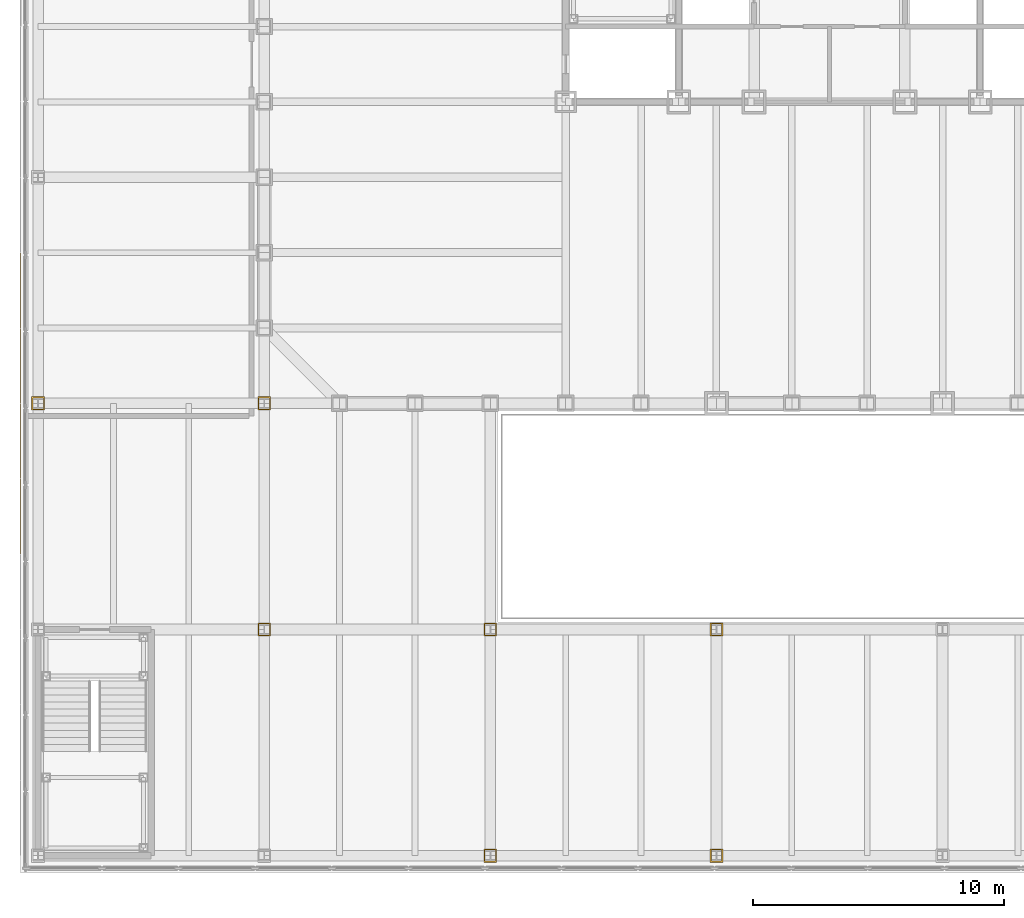
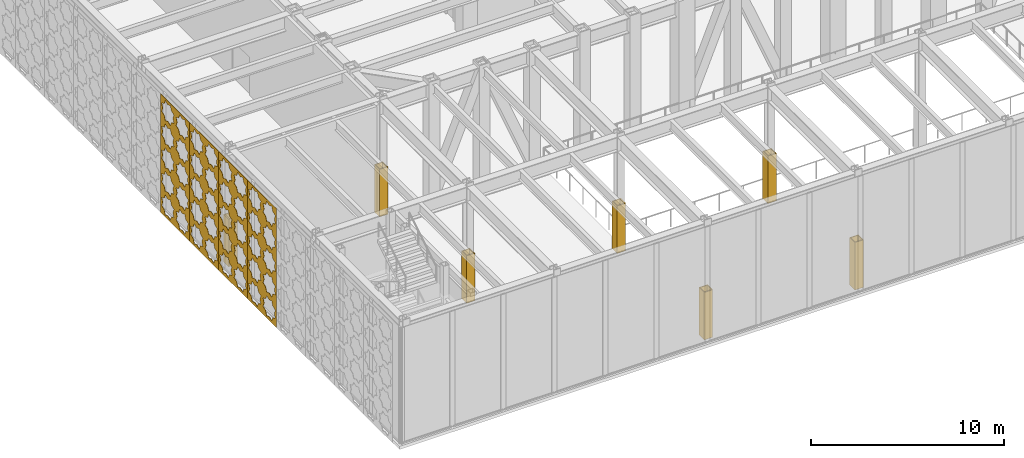
# One storey, part 25 of 34: 7 coverings, 4 shading devices.
"""IFC4 building model written with IfcOpenShell, lengths in metres."""

import ifcopenshell
import ifcopenshell.guid

model = None  # the IFC model being written
_history = None  # IfcOwnerHistory: only IFC2X3 demands one
_inside = {}  # id of a spatial element -> (the spatial element, [elements in it])
_under = {}  # id of a project, library or spatial element -> (it, [spatial elements below it])
_declared = {}  # id of a project -> (the project, [libraries it declares])
_typed = {}  # id of a type object -> (the type object, [elements of that type])
_made_of = {}  # id of a material, layer set ... -> (it, [elements and type objects made of it])


def new_model(schema):
    """Start an empty IFC model of exactly this schema.

    Asked for "IFC4X3", IfcOpenShell would pick the latest addendum, in which some entities
    have other attributes; the version numbers below select the first issue.
    IFC2X3 requires an IfcOwnerHistory on every rooted entity: one is made here for all.
    """
    global model, _history
    if schema == "IFC4X3":
        model = ifcopenshell.file(schema_version=(4, 3, 0, 0))
    else:
        model = ifcopenshell.file(schema=schema)
    _inside.clear()
    _under.clear()
    _declared.clear()
    _typed.clear()
    _made_of.clear()
    _history = None
    if model.schema == "IFC2X3":
        org = make("IfcOrganization", Name="unknown")
        user = make(
            "IfcPersonAndOrganization",
            ThePerson=make("IfcPerson", FamilyName="unknown"),
            TheOrganization=org,
        )
        app = make(
            "IfcApplication",
            ApplicationDeveloper=org,
            Version="unknown",
            ApplicationFullName="unknown",
            ApplicationIdentifier="unknown",
        )
        _history = make(
            "IfcOwnerHistory",
            OwningUser=user,
            OwningApplication=app,
            ChangeAction="ADDED",
            CreationDate=0,
        )
    return model


def make(cls, **values):
    """One entity of the class cls with the attributes given. An attribute that is None is left unset."""
    return model.create_entity(
        cls, **{name: value for name, value in values.items() if value is not None}
    )


def rooted(cls, **values):
    """An entity with a GlobalId (a new one), such as an element, a storey or a relation."""
    return make(cls, GlobalId=ifcopenshell.guid.new(), OwnerHistory=_history, **values)


def si_unit(unit_type, name, prefix=None):
    """IfcSIUnit, for example si_unit("LENGTHUNIT", "METRE", prefix="MILLI")."""
    return make("IfcSIUnit", UnitType=unit_type, Prefix=prefix, Name=name)


def assignment(units):
    """IfcUnitAssignment: the units of a project."""
    return None if units is None else make("IfcUnitAssignment", Units=units)


def point(xyz):
    """IfcCartesianPoint."""
    return None if xyz is None else make("IfcCartesianPoint", Coordinates=xyz)


def direction(xyz):
    """IfcDirection."""
    return None if xyz is None else make("IfcDirection", DirectionRatios=xyz)


def frame(location, z_axis=None, x_axis=None):
    """IfcAxis2Placement3D, a coordinate frame: its origin and axes. An axis left out is left unset."""
    return make(
        "IfcAxis2Placement3D",
        Location=point(location),
        Axis=direction(z_axis),
        RefDirection=direction(x_axis),
    )


def origin():
    """The frame at (0, 0, 0) with its axes left unset."""
    return frame((0.0, 0.0, 0.0))


def place(relative_to, where):
    """IfcLocalPlacement: puts the frame where relative to a parent placement (None: the world)."""
    return make(
        "IfcLocalPlacement", PlacementRelTo=relative_to, RelativePlacement=where
    )


def context(
    kind, dimensions, precision=None, world=None, true_north=None, identifier=None
):
    """IfcGeometricRepresentationContext, for example the 3D "Model" context."""
    return make(
        "IfcGeometricRepresentationContext",
        ContextIdentifier=identifier,
        ContextType=kind,
        CoordinateSpaceDimension=dimensions,
        Precision=precision,
        WorldCoordinateSystem=world,
        TrueNorth=true_north,
    )


def subcontext(parent, identifier, kind, view, scale=None):
    """IfcGeometricRepresentationSubContext, for example "Body" below "Model"."""
    return make(
        "IfcGeometricRepresentationSubContext",
        ContextIdentifier=identifier,
        ContextType=kind,
        ParentContext=parent,
        TargetScale=scale,
        TargetView=view,
    )


def project(units=None, contexts=None):
    """IfcProject with its units and contexts."""
    return rooted(
        "IfcProject",
        Name="project",
        RepresentationContexts=contexts,
        UnitsInContext=assignment(units),
    )


def spatial(cls, under=None, at=None, **own):
    """A site, building, storey or space (cls), placed at a placement, below another one or the project."""
    s = rooted(cls, ObjectPlacement=at, **own)
    if under is not None:
        _under.setdefault(under.id(), (under, []))[1].append(s)
    return s


def polyline(points):
    """IfcPolyline through the points."""
    return make("IfcPolyline", Points=[point(p) for p in points])


def outline(outer, holes=None, kind="AREA"):
    """IfcArbitraryClosedProfileDef: a profile drawn as a closed curve; with holes, ...WithVoids."""
    if holes is None:
        return make("IfcArbitraryClosedProfileDef", ProfileType=kind, OuterCurve=outer)
    return make(
        "IfcArbitraryProfileDefWithVoids",
        ProfileType=kind,
        OuterCurve=outer,
        InnerCurves=holes,
    )


def extrude(swept, where, along, depth):
    """IfcExtrudedAreaSolid: the profile swept, set in the frame where, extruded along a direction by depth."""
    return make(
        "IfcExtrudedAreaSolid",
        SweptArea=swept,
        Position=where,
        ExtrudedDirection=direction(along),
        Depth=depth,
    )


def shape(context_of_items, identifier, shape_type, items):
    """IfcShapeRepresentation: the items that make up one representation, for example the "Body"."""
    return make(
        "IfcShapeRepresentation",
        ContextOfItems=context_of_items,
        RepresentationIdentifier=identifier,
        RepresentationType=shape_type,
        Items=items,
    )


def material(Name=None, Category=None):
    """IfcMaterial."""
    return make("IfcMaterial", Name=Name, Category=Category)


def layer(
    of_material, thickness, ventilated=None, Name=None, Category=None, Priority=None
):
    """IfcMaterialLayer: one layer of a wall or slab, of a material (None: an air gap)."""
    return make(
        "IfcMaterialLayer",
        Material=of_material,
        LayerThickness=thickness,
        IsVentilated=ventilated,
        Name=Name,
        Category=Category,
        Priority=Priority,
    )


def layer_set(layers, Name=None):
    """IfcMaterialLayerSet."""
    return make("IfcMaterialLayerSet", MaterialLayers=layers, LayerSetName=Name)


def made_of(thing, what):
    """Note that an element or type object is made of a material, layer set ...; save() writes the relation."""
    if what is not None:
        _made_of.setdefault(what.id(), (what, []))[1].append(thing)
    return thing


def type_object(cls, material=None, **own):
    """A type object (cls), such as IfcWallType, which elements share."""
    return made_of(rooted(cls, **own), material)


def element(
    cls,
    number,
    at=None,
    inside=None,
    cuts=None,
    type_object=None,
    material=None,
    context=None,
    identifier="Body",
    shape_type=None,
    held_by="IfcProductDefinitionShape",
    body=None,
    shapes=None,
    **own,
):
    """One element of the class cls, such as IfcWall. Its Tag is "e" and its number.

    at: its placement. inside: the storey or other place that contains it. cuts: it is an
    opening in that element (IfcRelVoidsElement). A single representation is given by context,
    identifier, shape_type and body (its items); several are given by shapes. held_by: the class
    of the entity that holds the representations. save() writes the other relations.
    """
    e = rooted(cls, Tag="e%d" % number, ObjectPlacement=at, **own)
    if body is not None:
        shapes = [shape(context, identifier, shape_type, body)]
    if shapes is not None:
        e.Representation = make(held_by, Representations=shapes)
    if inside is not None:
        _inside.setdefault(inside.id(), (inside, []))[1].append(e)
    if cuts is not None:
        rooted(
            "IfcRelVoidsElement", RelatingBuildingElement=cuts, RelatedOpeningElement=e
        )
    if type_object is not None:
        _typed.setdefault(type_object.id(), (type_object, []))[1].append(e)
    return made_of(e, material)


def aggregate(whole, parts):
    """IfcRelAggregates: a whole, such as a stair, and the parts it consists of."""
    return rooted("IfcRelAggregates", RelatingObject=whole, RelatedObjects=parts)


def save(model, path):
    """Write the relations noted so far, then the file.

    IfcRelAggregates (storeys below a building ...), IfcRelContainedInSpatialStructure (elements
    in a storey), IfcRelDefinesByType, IfcRelAssociatesMaterial and IfcRelDeclares: one each for
    every whole, place, type object, material and project.
    """
    for whole, parts in _under.values():
        aggregate(whole, parts)
    for where, things in _inside.values():
        rooted(
            "IfcRelContainedInSpatialStructure",
            RelatedElements=things,
            RelatingStructure=where,
        )
    for kind, things in _typed.values():
        rooted("IfcRelDefinesByType", RelatedObjects=things, RelatingType=kind)
    for what, things in _made_of.values():
        rooted("IfcRelAssociatesMaterial", RelatedObjects=things, RelatingMaterial=what)
    for by, libraries in _declared.values():
        rooted("IfcRelDeclares", RelatingContext=by, RelatedDefinitions=libraries)
    model.write(path)


model = new_model("IFC4")

# Units and contexts
model_context = context("Model", 3, precision=1e-05, world=origin(), true_north=direction((0.0, 1.0)))
body_context = subcontext(model_context, "Body", "Model", "MODEL_VIEW")
ifc_project = project(units=[si_unit("LENGTHUNIT", "METRE"), si_unit("AREAUNIT", "SQUARE_METRE"), si_unit("VOLUMEUNIT", "CUBIC_METRE"), si_unit("PLANEANGLEUNIT", "RADIAN"), si_unit("MASSUNIT", "GRAM", prefix="KILO")], contexts=[model_context])

# Site, building, storey
site_placement = place(None, origin())
site = spatial("IfcSite", under=ifc_project, at=site_placement, CompositionType="ELEMENT")
building_placement = place(site_placement, origin())
building = spatial("IfcBuilding", under=site, at=building_placement, Name="Chuquiago Exchange Tower", CompositionType="ELEMENT")
storey_placement = place(building_placement, frame((0.0, 0.0, 6.0)))
storey = spatial("IfcBuildingStorey", under=building, at=storey_placement, Name="L01", CompositionType="ELEMENT", Elevation=6.0)

# Coverings
ifc_material_1 = material(Name="Pale metal sheet casing on rails", Category="aluminium")
ifc_layer_1 = layer(ifc_material_1, 0.050048828125)
ifc_layer_set_1 = layer_set([ifc_layer_1], Name="CS1 column casing 50")
covering_type = type_object("IfcCoveringType", Name="CS1 column casing 50", PredefinedType="CLADDING", material=ifc_layer_set_1)
covering_1_placement = place(storey_placement, origin())
element("IfcCovering", 1, at=covering_1_placement, inside=storey, type_object=covering_type, Name="Column casing L01", PredefinedType="CLADDING", context=body_context, shape_type="SweptSolid", body=[
    extrude(outline(polyline([(-9.255615234375, -0.26708984375), (-8.744384765625, -0.26708984375), (-8.744384765625, 0.26708984375), (-9.255615234375, 0.26708984375), (-9.255615234375, -0.26708984375)]), holes=[polyline([(-9.205810546875, -0.21728515625), (-9.205810546875, 0.21728515625), (-8.794189453125, 0.21728515625), (-8.794189453125, -0.21728515625), (-9.205810546875, -0.21728515625)])]), origin(), (0.0, 0.0, 1.0), 3.0),
])
covering_2_placement = place(storey_placement, origin())
element("IfcCovering", 2, at=covering_2_placement, inside=storey, type_object=covering_type, Name="Column casing L01", PredefinedType="CLADDING", context=body_context, shape_type="SweptSolid", body=[
    extrude(outline(polyline([(-0.255615234375, -9.26708984375), (0.255615234375, -9.26708984375), (0.255615234375, -8.73291015625), (-0.255615234375, -8.73291015625), (-0.255615234375, -9.26708984375)]), holes=[polyline([(-0.205810546875, -9.21728515625), (-0.205810546875, -8.78271484375), (0.205810546875, -8.78271484375), (0.205810546875, -9.21728515625), (-0.205810546875, -9.21728515625)])]), origin(), (0.0, 0.0, 1.0), 3.0),
])
covering_3_placement = place(storey_placement, origin())
element("IfcCovering", 3, at=covering_3_placement, inside=storey, type_object=covering_type, Name="Column casing L01", PredefinedType="CLADDING", context=body_context, shape_type="SweptSolid", body=[
    extrude(outline(polyline([(-0.255615234375, -0.26708984375), (0.255615234375, -0.26708984375), (0.255615234375, 0.26708984375), (-0.255615234375, 0.26708984375), (-0.255615234375, -0.26708984375)]), holes=[polyline([(-0.205810546875, -0.21728515625), (-0.205810546875, 0.21728515625), (0.205810546875, 0.21728515625), (0.205810546875, -0.21728515625), (-0.205810546875, -0.21728515625)])]), origin(), (0.0, 0.0, 1.0), 3.0),
])
covering_4_placement = place(storey_placement, origin())
element("IfcCovering", 4, at=covering_4_placement, inside=storey, type_object=covering_type, Name="Column casing L01", PredefinedType="CLADDING", context=body_context, shape_type="SweptSolid", body=[
    extrude(outline(polyline([(8.744384765625, -18.26708984375), (9.255615234375, -18.26708984375), (9.255615234375, -17.73291015625), (8.744384765625, -17.73291015625), (8.744384765625, -18.26708984375)]), holes=[polyline([(8.794189453125, -18.21728515625), (8.794189453125, -17.78271484375), (9.205810546875, -17.78271484375), (9.205810546875, -18.21728515625), (8.794189453125, -18.21728515625)])]), origin(), (0.0, 0.0, 1.0), 3.0),
])
covering_5_placement = place(storey_placement, origin())
element("IfcCovering", 5, at=covering_5_placement, inside=storey, type_object=covering_type, Name="Column casing L01", PredefinedType="CLADDING", context=body_context, shape_type="SweptSolid", body=[
    extrude(outline(polyline([(8.744384765625, -9.26708984375), (9.255615234375, -9.26708984375), (9.255615234375, -8.73291015625), (8.744384765625, -8.73291015625), (8.744384765625, -9.26708984375)]), holes=[polyline([(8.794189453125, -9.21728515625), (8.794189453125, -8.78271484375), (9.205810546875, -8.78271484375), (9.205810546875, -9.21728515625), (8.794189453125, -9.21728515625)])]), origin(), (0.0, 0.0, 1.0), 3.0),
])
covering_6_placement = place(storey_placement, origin())
element("IfcCovering", 6, at=covering_6_placement, inside=storey, type_object=covering_type, Name="Column casing L01", PredefinedType="CLADDING", context=body_context, shape_type="SweptSolid", body=[
    extrude(outline(polyline([(17.744384765625, -18.26708984375), (18.255615234375, -18.26708984375), (18.255615234375, -17.73291015625), (17.744384765625, -17.73291015625), (17.744384765625, -18.26708984375)]), holes=[polyline([(17.794189453125, -18.21728515625), (17.794189453125, -17.78271484375), (18.205810546875, -17.78271484375), (18.205810546875, -18.21728515625), (17.794189453125, -18.21728515625)])]), origin(), (0.0, 0.0, 1.0), 3.0),
])
covering_7_placement = place(storey_placement, origin())
element("IfcCovering", 7, at=covering_7_placement, inside=storey, type_object=covering_type, Name="Column casing L01", PredefinedType="CLADDING", context=body_context, shape_type="SweptSolid", body=[
    extrude(outline(polyline([(17.744384765625, -9.26708984375), (18.255615234375, -9.26708984375), (18.255615234375, -8.73291015625), (17.744384765625, -8.73291015625), (17.744384765625, -9.26708984375)]), holes=[polyline([(17.794189453125, -9.21728515625), (17.794189453125, -8.78271484375), (18.205810546875, -8.78271484375), (18.205810546875, -9.21728515625), (17.794189453125, -9.21728515625)])]), origin(), (0.0, 0.0, 1.0), 3.0),
])

# Shading devices
ifc_material_2 = material(Name="Pale metal, perforated in an eight-point star pattern", Category="aluminium")
ifc_layer_2 = layer(ifc_material_2, 0.02001953125)
ifc_layer_set_2 = layer_set([ifc_layer_2], Name="SC1 mashrabiya screen 20")
shading_device_type = type_object("IfcShadingDeviceType", Name="SC1 mashrabiya screen 20", PredefinedType="SHUTTER", material=ifc_layer_set_2)
shading_device_1_placement = place(storey_placement, frame((-9.699951171875, -3.010009765625, -0.199951171875), z_axis=(0.0, 0.0, 1.0), x_axis=(0.0, -1.0, 0.0)))
element("IfcShadingDevice", 8, at=shading_device_1_placement, inside=storey, type_object=shading_device_type, Name="Mashrabiya screen L01 W 5", PredefinedType="SHUTTER", context=body_context, shape_type="SweptSolid", body=[
    extrude(outline(polyline([(0.0, 0.0), (2.97998046875, 0.0), (2.97998046875, 7.5), (0.0, 7.5), (0.0, 0.0)]), holes=[polyline([(1.26953125, 0.77001953125), (1.378173828125, 1.0322265625), (1.115966796875, 1.140869140625), (1.00732421875, 1.403076171875), (0.7451171875, 1.29443359375), (0.482666015625, 1.403076171875), (0.3740234375, 1.140869140625), (0.11181640625, 1.0322265625), (0.220458984375, 0.77001953125), (0.11181640625, 0.507568359375), (0.3740234375, 0.39892578125), (0.482666015625, 0.13671875), (0.7451171875, 0.245361328125), (1.00732421875, 0.13671875), (1.115966796875, 0.39892578125), (1.378173828125, 0.507568359375), (1.26953125, 0.77001953125)]), polyline([(2.759521484375, 0.77001953125), (2.8681640625, 1.0322265625), (2.60595703125, 1.140869140625), (2.497314453125, 1.403076171875), (2.235107421875, 1.29443359375), (1.97265625, 1.403076171875), (1.864013671875, 1.140869140625), (1.601806640625, 1.0322265625), (1.71044921875, 0.77001953125), (1.601806640625, 0.507568359375), (1.864013671875, 0.39892578125), (1.97265625, 0.13671875), (2.235107421875, 0.245361328125), (2.497314453125, 0.13671875), (2.60595703125, 0.39892578125), (2.8681640625, 0.507568359375), (2.759521484375, 0.77001953125)]), polyline([(1.26953125, 2.260009765625), (1.378173828125, 2.522216796875), (1.115966796875, 2.630859375), (1.00732421875, 2.89306640625), (0.7451171875, 2.78466796875), (0.482666015625, 2.89306640625), (0.3740234375, 2.630859375), (0.11181640625, 2.522216796875), (0.220458984375, 2.260009765625), (0.11181640625, 1.99755859375), (0.3740234375, 1.888916015625), (0.482666015625, 1.626708984375), (0.7451171875, 1.7353515625), (1.00732421875, 1.626708984375), (1.115966796875, 1.888916015625), (1.378173828125, 1.99755859375), (1.26953125, 2.260009765625)]), polyline([(2.759521484375, 2.260009765625), (2.8681640625, 2.522216796875), (2.60595703125, 2.630859375), (2.497314453125, 2.89306640625), (2.235107421875, 2.78466796875), (1.97265625, 2.89306640625), (1.864013671875, 2.630859375), (1.601806640625, 2.522216796875), (1.71044921875, 2.260009765625), (1.601806640625, 1.99755859375), (1.864013671875, 1.888916015625), (1.97265625, 1.626708984375), (2.235107421875, 1.7353515625), (2.497314453125, 1.626708984375), (2.60595703125, 1.888916015625), (2.8681640625, 1.99755859375), (2.759521484375, 2.260009765625)]), polyline([(1.26953125, 3.75), (1.378173828125, 4.01220703125), (1.115966796875, 4.120849609375), (1.00732421875, 4.383056640625), (0.7451171875, 4.274658203125), (0.482666015625, 4.383056640625), (0.3740234375, 4.120849609375), (0.11181640625, 4.01220703125), (0.220458984375, 3.75), (0.11181640625, 3.487548828125), (0.3740234375, 3.37890625), (0.482666015625, 3.11669921875), (0.7451171875, 3.225341796875), (1.00732421875, 3.11669921875), (1.115966796875, 3.37890625), (1.378173828125, 3.487548828125), (1.26953125, 3.75)]), polyline([(2.759521484375, 3.75), (2.8681640625, 4.01220703125), (2.60595703125, 4.120849609375), (2.497314453125, 4.383056640625), (2.235107421875, 4.274658203125), (1.97265625, 4.383056640625), (1.864013671875, 4.120849609375), (1.601806640625, 4.01220703125), (1.71044921875, 3.75), (1.601806640625, 3.487548828125), (1.864013671875, 3.37890625), (1.97265625, 3.11669921875), (2.235107421875, 3.225341796875), (2.497314453125, 3.11669921875), (2.60595703125, 3.37890625), (2.8681640625, 3.487548828125), (2.759521484375, 3.75)]), polyline([(1.26953125, 5.239990234375), (1.378173828125, 5.502197265625), (1.115966796875, 5.61083984375), (1.00732421875, 5.873046875), (0.7451171875, 5.7646484375), (0.482666015625, 5.873046875), (0.3740234375, 5.61083984375), (0.11181640625, 5.502197265625), (0.220458984375, 5.239990234375), (0.11181640625, 4.9775390625), (0.3740234375, 4.868896484375), (0.482666015625, 4.606689453125), (0.7451171875, 4.71533203125), (1.00732421875, 4.606689453125), (1.115966796875, 4.868896484375), (1.378173828125, 4.9775390625), (1.26953125, 5.239990234375)]), polyline([(2.759521484375, 5.239990234375), (2.8681640625, 5.502197265625), (2.60595703125, 5.61083984375), (2.497314453125, 5.873046875), (2.235107421875, 5.7646484375), (1.97265625, 5.873046875), (1.864013671875, 5.61083984375), (1.601806640625, 5.502197265625), (1.71044921875, 5.239990234375), (1.601806640625, 4.9775390625), (1.864013671875, 4.868896484375), (1.97265625, 4.606689453125), (2.235107421875, 4.71533203125), (2.497314453125, 4.606689453125), (2.60595703125, 4.868896484375), (2.8681640625, 4.9775390625), (2.759521484375, 5.239990234375)]), polyline([(1.26953125, 6.72998046875), (1.378173828125, 6.9921875), (1.115966796875, 7.100830078125), (1.00732421875, 7.363037109375), (0.7451171875, 7.254638671875), (0.482666015625, 7.363037109375), (0.3740234375, 7.100830078125), (0.11181640625, 6.9921875), (0.220458984375, 6.72998046875), (0.11181640625, 6.467529296875), (0.3740234375, 6.35888671875), (0.482666015625, 6.0966796875), (0.7451171875, 6.205322265625), (1.00732421875, 6.0966796875), (1.115966796875, 6.35888671875), (1.378173828125, 6.467529296875), (1.26953125, 6.72998046875)]), polyline([(2.759521484375, 6.72998046875), (2.8681640625, 6.9921875), (2.60595703125, 7.100830078125), (2.497314453125, 7.363037109375), (2.235107421875, 7.254638671875), (1.97265625, 7.363037109375), (1.864013671875, 7.100830078125), (1.601806640625, 6.9921875), (1.71044921875, 6.72998046875), (1.601806640625, 6.467529296875), (1.864013671875, 6.35888671875), (1.97265625, 6.0966796875), (2.235107421875, 6.205322265625), (2.497314453125, 6.0966796875), (2.60595703125, 6.35888671875), (2.8681640625, 6.467529296875), (2.759521484375, 6.72998046875)])]), frame((0.0, 0.0, 0.0), z_axis=(0.0, -1.0, 0.0), x_axis=(1.0, 0.0, 0.0)), (0.0, 0.0, 1.0), 0.02001953125),
])
shading_device_2_placement = place(storey_placement, frame((-9.699951171875, -0.010009765625, -0.199951171875), z_axis=(0.0, 0.0, 1.0), x_axis=(0.0, -1.0, 0.0)))
element("IfcShadingDevice", 9, at=shading_device_2_placement, inside=storey, type_object=shading_device_type, Name="Mashrabiya screen L01 W 6", PredefinedType="SHUTTER", context=body_context, shape_type="SweptSolid", body=[
    extrude(outline(polyline([(0.0, 0.0), (2.97998046875, 0.0), (2.97998046875, 7.5), (0.0, 7.5), (0.0, 0.0)]), holes=[polyline([(1.26953125, 0.77001953125), (1.378173828125, 1.0322265625), (1.115966796875, 1.140869140625), (1.00732421875, 1.403076171875), (0.7451171875, 1.29443359375), (0.482666015625, 1.403076171875), (0.3740234375, 1.140869140625), (0.11181640625, 1.0322265625), (0.220458984375, 0.77001953125), (0.11181640625, 0.507568359375), (0.3740234375, 0.39892578125), (0.482666015625, 0.13671875), (0.7451171875, 0.245361328125), (1.00732421875, 0.13671875), (1.115966796875, 0.39892578125), (1.378173828125, 0.507568359375), (1.26953125, 0.77001953125)]), polyline([(2.759521484375, 0.77001953125), (2.8681640625, 1.0322265625), (2.60595703125, 1.140869140625), (2.497314453125, 1.403076171875), (2.235107421875, 1.29443359375), (1.97265625, 1.403076171875), (1.864013671875, 1.140869140625), (1.601806640625, 1.0322265625), (1.71044921875, 0.77001953125), (1.601806640625, 0.507568359375), (1.864013671875, 0.39892578125), (1.97265625, 0.13671875), (2.235107421875, 0.245361328125), (2.497314453125, 0.13671875), (2.60595703125, 0.39892578125), (2.8681640625, 0.507568359375), (2.759521484375, 0.77001953125)]), polyline([(1.26953125, 2.260009765625), (1.378173828125, 2.522216796875), (1.115966796875, 2.630859375), (1.00732421875, 2.89306640625), (0.7451171875, 2.78466796875), (0.482666015625, 2.89306640625), (0.3740234375, 2.630859375), (0.11181640625, 2.522216796875), (0.220458984375, 2.260009765625), (0.11181640625, 1.99755859375), (0.3740234375, 1.888916015625), (0.482666015625, 1.626708984375), (0.7451171875, 1.7353515625), (1.00732421875, 1.626708984375), (1.115966796875, 1.888916015625), (1.378173828125, 1.99755859375), (1.26953125, 2.260009765625)]), polyline([(2.759521484375, 2.260009765625), (2.8681640625, 2.522216796875), (2.60595703125, 2.630859375), (2.497314453125, 2.89306640625), (2.235107421875, 2.78466796875), (1.97265625, 2.89306640625), (1.864013671875, 2.630859375), (1.601806640625, 2.522216796875), (1.71044921875, 2.260009765625), (1.601806640625, 1.99755859375), (1.864013671875, 1.888916015625), (1.97265625, 1.626708984375), (2.235107421875, 1.7353515625), (2.497314453125, 1.626708984375), (2.60595703125, 1.888916015625), (2.8681640625, 1.99755859375), (2.759521484375, 2.260009765625)]), polyline([(1.26953125, 3.75), (1.378173828125, 4.01220703125), (1.115966796875, 4.120849609375), (1.00732421875, 4.383056640625), (0.7451171875, 4.274658203125), (0.482666015625, 4.383056640625), (0.3740234375, 4.120849609375), (0.11181640625, 4.01220703125), (0.220458984375, 3.75), (0.11181640625, 3.487548828125), (0.3740234375, 3.37890625), (0.482666015625, 3.11669921875), (0.7451171875, 3.225341796875), (1.00732421875, 3.11669921875), (1.115966796875, 3.37890625), (1.378173828125, 3.487548828125), (1.26953125, 3.75)]), polyline([(2.759521484375, 3.75), (2.8681640625, 4.01220703125), (2.60595703125, 4.120849609375), (2.497314453125, 4.383056640625), (2.235107421875, 4.274658203125), (1.97265625, 4.383056640625), (1.864013671875, 4.120849609375), (1.601806640625, 4.01220703125), (1.71044921875, 3.75), (1.601806640625, 3.487548828125), (1.864013671875, 3.37890625), (1.97265625, 3.11669921875), (2.235107421875, 3.225341796875), (2.497314453125, 3.11669921875), (2.60595703125, 3.37890625), (2.8681640625, 3.487548828125), (2.759521484375, 3.75)]), polyline([(1.26953125, 5.239990234375), (1.378173828125, 5.502197265625), (1.115966796875, 5.61083984375), (1.00732421875, 5.873046875), (0.7451171875, 5.7646484375), (0.482666015625, 5.873046875), (0.3740234375, 5.61083984375), (0.11181640625, 5.502197265625), (0.220458984375, 5.239990234375), (0.11181640625, 4.9775390625), (0.3740234375, 4.868896484375), (0.482666015625, 4.606689453125), (0.7451171875, 4.71533203125), (1.00732421875, 4.606689453125), (1.115966796875, 4.868896484375), (1.378173828125, 4.9775390625), (1.26953125, 5.239990234375)]), polyline([(2.759521484375, 5.239990234375), (2.8681640625, 5.502197265625), (2.60595703125, 5.61083984375), (2.497314453125, 5.873046875), (2.235107421875, 5.7646484375), (1.97265625, 5.873046875), (1.864013671875, 5.61083984375), (1.601806640625, 5.502197265625), (1.71044921875, 5.239990234375), (1.601806640625, 4.9775390625), (1.864013671875, 4.868896484375), (1.97265625, 4.606689453125), (2.235107421875, 4.71533203125), (2.497314453125, 4.606689453125), (2.60595703125, 4.868896484375), (2.8681640625, 4.9775390625), (2.759521484375, 5.239990234375)]), polyline([(1.26953125, 6.72998046875), (1.378173828125, 6.9921875), (1.115966796875, 7.100830078125), (1.00732421875, 7.363037109375), (0.7451171875, 7.254638671875), (0.482666015625, 7.363037109375), (0.3740234375, 7.100830078125), (0.11181640625, 6.9921875), (0.220458984375, 6.72998046875), (0.11181640625, 6.467529296875), (0.3740234375, 6.35888671875), (0.482666015625, 6.0966796875), (0.7451171875, 6.205322265625), (1.00732421875, 6.0966796875), (1.115966796875, 6.35888671875), (1.378173828125, 6.467529296875), (1.26953125, 6.72998046875)]), polyline([(2.759521484375, 6.72998046875), (2.8681640625, 6.9921875), (2.60595703125, 7.100830078125), (2.497314453125, 7.363037109375), (2.235107421875, 7.254638671875), (1.97265625, 7.363037109375), (1.864013671875, 7.100830078125), (1.601806640625, 6.9921875), (1.71044921875, 6.72998046875), (1.601806640625, 6.467529296875), (1.864013671875, 6.35888671875), (1.97265625, 6.0966796875), (2.235107421875, 6.205322265625), (2.497314453125, 6.0966796875), (2.60595703125, 6.35888671875), (2.8681640625, 6.467529296875), (2.759521484375, 6.72998046875)])]), frame((0.0, 0.0, 0.0), z_axis=(0.0, -1.0, 0.0), x_axis=(1.0, 0.0, 0.0)), (0.0, 0.0, 1.0), 0.02001953125),
])
shading_device_3_placement = place(storey_placement, frame((-9.699951171875, 2.989990234375, -0.199951171875), z_axis=(0.0, 0.0, 1.0), x_axis=(0.0, -1.0, 0.0)))
element("IfcShadingDevice", 10, at=shading_device_3_placement, inside=storey, type_object=shading_device_type, Name="Mashrabiya screen L01 W 7", PredefinedType="SHUTTER", context=body_context, shape_type="SweptSolid", body=[
    extrude(outline(polyline([(0.0, 0.0), (2.97998046875, 0.0), (2.97998046875, 7.5), (0.0, 7.5), (0.0, 0.0)]), holes=[polyline([(1.26953125, 0.77001953125), (1.378173828125, 1.0322265625), (1.115966796875, 1.140869140625), (1.00732421875, 1.403076171875), (0.7451171875, 1.29443359375), (0.482666015625, 1.403076171875), (0.3740234375, 1.140869140625), (0.11181640625, 1.0322265625), (0.220458984375, 0.77001953125), (0.11181640625, 0.507568359375), (0.3740234375, 0.39892578125), (0.482666015625, 0.13671875), (0.7451171875, 0.245361328125), (1.00732421875, 0.13671875), (1.115966796875, 0.39892578125), (1.378173828125, 0.507568359375), (1.26953125, 0.77001953125)]), polyline([(2.759521484375, 0.77001953125), (2.8681640625, 1.0322265625), (2.60595703125, 1.140869140625), (2.497314453125, 1.403076171875), (2.235107421875, 1.29443359375), (1.97265625, 1.403076171875), (1.864013671875, 1.140869140625), (1.601806640625, 1.0322265625), (1.71044921875, 0.77001953125), (1.601806640625, 0.507568359375), (1.864013671875, 0.39892578125), (1.97265625, 0.13671875), (2.235107421875, 0.245361328125), (2.497314453125, 0.13671875), (2.60595703125, 0.39892578125), (2.8681640625, 0.507568359375), (2.759521484375, 0.77001953125)]), polyline([(1.26953125, 2.260009765625), (1.378173828125, 2.522216796875), (1.115966796875, 2.630859375), (1.00732421875, 2.89306640625), (0.7451171875, 2.78466796875), (0.482666015625, 2.89306640625), (0.3740234375, 2.630859375), (0.11181640625, 2.522216796875), (0.220458984375, 2.260009765625), (0.11181640625, 1.99755859375), (0.3740234375, 1.888916015625), (0.482666015625, 1.626708984375), (0.7451171875, 1.7353515625), (1.00732421875, 1.626708984375), (1.115966796875, 1.888916015625), (1.378173828125, 1.99755859375), (1.26953125, 2.260009765625)]), polyline([(2.759521484375, 2.260009765625), (2.8681640625, 2.522216796875), (2.60595703125, 2.630859375), (2.497314453125, 2.89306640625), (2.235107421875, 2.78466796875), (1.97265625, 2.89306640625), (1.864013671875, 2.630859375), (1.601806640625, 2.522216796875), (1.71044921875, 2.260009765625), (1.601806640625, 1.99755859375), (1.864013671875, 1.888916015625), (1.97265625, 1.626708984375), (2.235107421875, 1.7353515625), (2.497314453125, 1.626708984375), (2.60595703125, 1.888916015625), (2.8681640625, 1.99755859375), (2.759521484375, 2.260009765625)]), polyline([(1.26953125, 3.75), (1.378173828125, 4.01220703125), (1.115966796875, 4.120849609375), (1.00732421875, 4.383056640625), (0.7451171875, 4.274658203125), (0.482666015625, 4.383056640625), (0.3740234375, 4.120849609375), (0.11181640625, 4.01220703125), (0.220458984375, 3.75), (0.11181640625, 3.487548828125), (0.3740234375, 3.37890625), (0.482666015625, 3.11669921875), (0.7451171875, 3.225341796875), (1.00732421875, 3.11669921875), (1.115966796875, 3.37890625), (1.378173828125, 3.487548828125), (1.26953125, 3.75)]), polyline([(2.759521484375, 3.75), (2.8681640625, 4.01220703125), (2.60595703125, 4.120849609375), (2.497314453125, 4.383056640625), (2.235107421875, 4.274658203125), (1.97265625, 4.383056640625), (1.864013671875, 4.120849609375), (1.601806640625, 4.01220703125), (1.71044921875, 3.75), (1.601806640625, 3.487548828125), (1.864013671875, 3.37890625), (1.97265625, 3.11669921875), (2.235107421875, 3.225341796875), (2.497314453125, 3.11669921875), (2.60595703125, 3.37890625), (2.8681640625, 3.487548828125), (2.759521484375, 3.75)]), polyline([(1.26953125, 5.239990234375), (1.378173828125, 5.502197265625), (1.115966796875, 5.61083984375), (1.00732421875, 5.873046875), (0.7451171875, 5.7646484375), (0.482666015625, 5.873046875), (0.3740234375, 5.61083984375), (0.11181640625, 5.502197265625), (0.220458984375, 5.239990234375), (0.11181640625, 4.9775390625), (0.3740234375, 4.868896484375), (0.482666015625, 4.606689453125), (0.7451171875, 4.71533203125), (1.00732421875, 4.606689453125), (1.115966796875, 4.868896484375), (1.378173828125, 4.9775390625), (1.26953125, 5.239990234375)]), polyline([(2.759521484375, 5.239990234375), (2.8681640625, 5.502197265625), (2.60595703125, 5.61083984375), (2.497314453125, 5.873046875), (2.235107421875, 5.7646484375), (1.97265625, 5.873046875), (1.864013671875, 5.61083984375), (1.601806640625, 5.502197265625), (1.71044921875, 5.239990234375), (1.601806640625, 4.9775390625), (1.864013671875, 4.868896484375), (1.97265625, 4.606689453125), (2.235107421875, 4.71533203125), (2.497314453125, 4.606689453125), (2.60595703125, 4.868896484375), (2.8681640625, 4.9775390625), (2.759521484375, 5.239990234375)]), polyline([(1.26953125, 6.72998046875), (1.378173828125, 6.9921875), (1.115966796875, 7.100830078125), (1.00732421875, 7.363037109375), (0.7451171875, 7.254638671875), (0.482666015625, 7.363037109375), (0.3740234375, 7.100830078125), (0.11181640625, 6.9921875), (0.220458984375, 6.72998046875), (0.11181640625, 6.467529296875), (0.3740234375, 6.35888671875), (0.482666015625, 6.0966796875), (0.7451171875, 6.205322265625), (1.00732421875, 6.0966796875), (1.115966796875, 6.35888671875), (1.378173828125, 6.467529296875), (1.26953125, 6.72998046875)]), polyline([(2.759521484375, 6.72998046875), (2.8681640625, 6.9921875), (2.60595703125, 7.100830078125), (2.497314453125, 7.363037109375), (2.235107421875, 7.254638671875), (1.97265625, 7.363037109375), (1.864013671875, 7.100830078125), (1.601806640625, 6.9921875), (1.71044921875, 6.72998046875), (1.601806640625, 6.467529296875), (1.864013671875, 6.35888671875), (1.97265625, 6.0966796875), (2.235107421875, 6.205322265625), (2.497314453125, 6.0966796875), (2.60595703125, 6.35888671875), (2.8681640625, 6.467529296875), (2.759521484375, 6.72998046875)])]), frame((0.0, 0.0, 0.0), z_axis=(0.0, -1.0, 0.0), x_axis=(1.0, 0.0, 0.0)), (0.0, 0.0, 1.0), 0.02001953125),
])
shading_device_4_placement = place(storey_placement, frame((-9.699951171875, 5.989990234375, -0.199951171875), z_axis=(0.0, 0.0, 1.0), x_axis=(0.0, -1.0, 0.0)))
element("IfcShadingDevice", 11, at=shading_device_4_placement, inside=storey, type_object=shading_device_type, Name="Mashrabiya screen L01 W 8", PredefinedType="SHUTTER", context=body_context, shape_type="SweptSolid", body=[
    extrude(outline(polyline([(0.0, 0.0), (2.97998046875, 0.0), (2.97998046875, 7.5), (0.0, 7.5), (0.0, 0.0)]), holes=[polyline([(1.26953125, 0.77001953125), (1.378173828125, 1.0322265625), (1.115966796875, 1.140869140625), (1.00732421875, 1.403076171875), (0.7451171875, 1.29443359375), (0.482666015625, 1.403076171875), (0.3740234375, 1.140869140625), (0.11181640625, 1.0322265625), (0.220458984375, 0.77001953125), (0.11181640625, 0.507568359375), (0.3740234375, 0.39892578125), (0.482666015625, 0.13671875), (0.7451171875, 0.245361328125), (1.00732421875, 0.13671875), (1.115966796875, 0.39892578125), (1.378173828125, 0.507568359375), (1.26953125, 0.77001953125)]), polyline([(2.759521484375, 0.77001953125), (2.8681640625, 1.0322265625), (2.60595703125, 1.140869140625), (2.497314453125, 1.403076171875), (2.235107421875, 1.29443359375), (1.97265625, 1.403076171875), (1.864013671875, 1.140869140625), (1.601806640625, 1.0322265625), (1.71044921875, 0.77001953125), (1.601806640625, 0.507568359375), (1.864013671875, 0.39892578125), (1.97265625, 0.13671875), (2.235107421875, 0.245361328125), (2.497314453125, 0.13671875), (2.60595703125, 0.39892578125), (2.8681640625, 0.507568359375), (2.759521484375, 0.77001953125)]), polyline([(1.26953125, 2.260009765625), (1.378173828125, 2.522216796875), (1.115966796875, 2.630859375), (1.00732421875, 2.89306640625), (0.7451171875, 2.78466796875), (0.482666015625, 2.89306640625), (0.3740234375, 2.630859375), (0.11181640625, 2.522216796875), (0.220458984375, 2.260009765625), (0.11181640625, 1.99755859375), (0.3740234375, 1.888916015625), (0.482666015625, 1.626708984375), (0.7451171875, 1.7353515625), (1.00732421875, 1.626708984375), (1.115966796875, 1.888916015625), (1.378173828125, 1.99755859375), (1.26953125, 2.260009765625)]), polyline([(2.759521484375, 2.260009765625), (2.8681640625, 2.522216796875), (2.60595703125, 2.630859375), (2.497314453125, 2.89306640625), (2.235107421875, 2.78466796875), (1.97265625, 2.89306640625), (1.864013671875, 2.630859375), (1.601806640625, 2.522216796875), (1.71044921875, 2.260009765625), (1.601806640625, 1.99755859375), (1.864013671875, 1.888916015625), (1.97265625, 1.626708984375), (2.235107421875, 1.7353515625), (2.497314453125, 1.626708984375), (2.60595703125, 1.888916015625), (2.8681640625, 1.99755859375), (2.759521484375, 2.260009765625)]), polyline([(1.26953125, 3.75), (1.378173828125, 4.01220703125), (1.115966796875, 4.120849609375), (1.00732421875, 4.383056640625), (0.7451171875, 4.274658203125), (0.482666015625, 4.383056640625), (0.3740234375, 4.120849609375), (0.11181640625, 4.01220703125), (0.220458984375, 3.75), (0.11181640625, 3.487548828125), (0.3740234375, 3.37890625), (0.482666015625, 3.11669921875), (0.7451171875, 3.225341796875), (1.00732421875, 3.11669921875), (1.115966796875, 3.37890625), (1.378173828125, 3.487548828125), (1.26953125, 3.75)]), polyline([(2.759521484375, 3.75), (2.8681640625, 4.01220703125), (2.60595703125, 4.120849609375), (2.497314453125, 4.383056640625), (2.235107421875, 4.274658203125), (1.97265625, 4.383056640625), (1.864013671875, 4.120849609375), (1.601806640625, 4.01220703125), (1.71044921875, 3.75), (1.601806640625, 3.487548828125), (1.864013671875, 3.37890625), (1.97265625, 3.11669921875), (2.235107421875, 3.225341796875), (2.497314453125, 3.11669921875), (2.60595703125, 3.37890625), (2.8681640625, 3.487548828125), (2.759521484375, 3.75)]), polyline([(1.26953125, 5.239990234375), (1.378173828125, 5.502197265625), (1.115966796875, 5.61083984375), (1.00732421875, 5.873046875), (0.7451171875, 5.7646484375), (0.482666015625, 5.873046875), (0.3740234375, 5.61083984375), (0.11181640625, 5.502197265625), (0.220458984375, 5.239990234375), (0.11181640625, 4.9775390625), (0.3740234375, 4.868896484375), (0.482666015625, 4.606689453125), (0.7451171875, 4.71533203125), (1.00732421875, 4.606689453125), (1.115966796875, 4.868896484375), (1.378173828125, 4.9775390625), (1.26953125, 5.239990234375)]), polyline([(2.759521484375, 5.239990234375), (2.8681640625, 5.502197265625), (2.60595703125, 5.61083984375), (2.497314453125, 5.873046875), (2.235107421875, 5.7646484375), (1.97265625, 5.873046875), (1.864013671875, 5.61083984375), (1.601806640625, 5.502197265625), (1.71044921875, 5.239990234375), (1.601806640625, 4.9775390625), (1.864013671875, 4.868896484375), (1.97265625, 4.606689453125), (2.235107421875, 4.71533203125), (2.497314453125, 4.606689453125), (2.60595703125, 4.868896484375), (2.8681640625, 4.9775390625), (2.759521484375, 5.239990234375)]), polyline([(1.26953125, 6.72998046875), (1.378173828125, 6.9921875), (1.115966796875, 7.100830078125), (1.00732421875, 7.363037109375), (0.7451171875, 7.254638671875), (0.482666015625, 7.363037109375), (0.3740234375, 7.100830078125), (0.11181640625, 6.9921875), (0.220458984375, 6.72998046875), (0.11181640625, 6.467529296875), (0.3740234375, 6.35888671875), (0.482666015625, 6.0966796875), (0.7451171875, 6.205322265625), (1.00732421875, 6.0966796875), (1.115966796875, 6.35888671875), (1.378173828125, 6.467529296875), (1.26953125, 6.72998046875)]), polyline([(2.759521484375, 6.72998046875), (2.8681640625, 6.9921875), (2.60595703125, 7.100830078125), (2.497314453125, 7.363037109375), (2.235107421875, 7.254638671875), (1.97265625, 7.363037109375), (1.864013671875, 7.100830078125), (1.601806640625, 6.9921875), (1.71044921875, 6.72998046875), (1.601806640625, 6.467529296875), (1.864013671875, 6.35888671875), (1.97265625, 6.0966796875), (2.235107421875, 6.205322265625), (2.497314453125, 6.0966796875), (2.60595703125, 6.35888671875), (2.8681640625, 6.467529296875), (2.759521484375, 6.72998046875)])]), frame((0.0, 0.0, 0.0), z_axis=(0.0, -1.0, 0.0), x_axis=(1.0, 0.0, 0.0)), (0.0, 0.0, 1.0), 0.02001953125),
])

save(model, "model.ifc")
